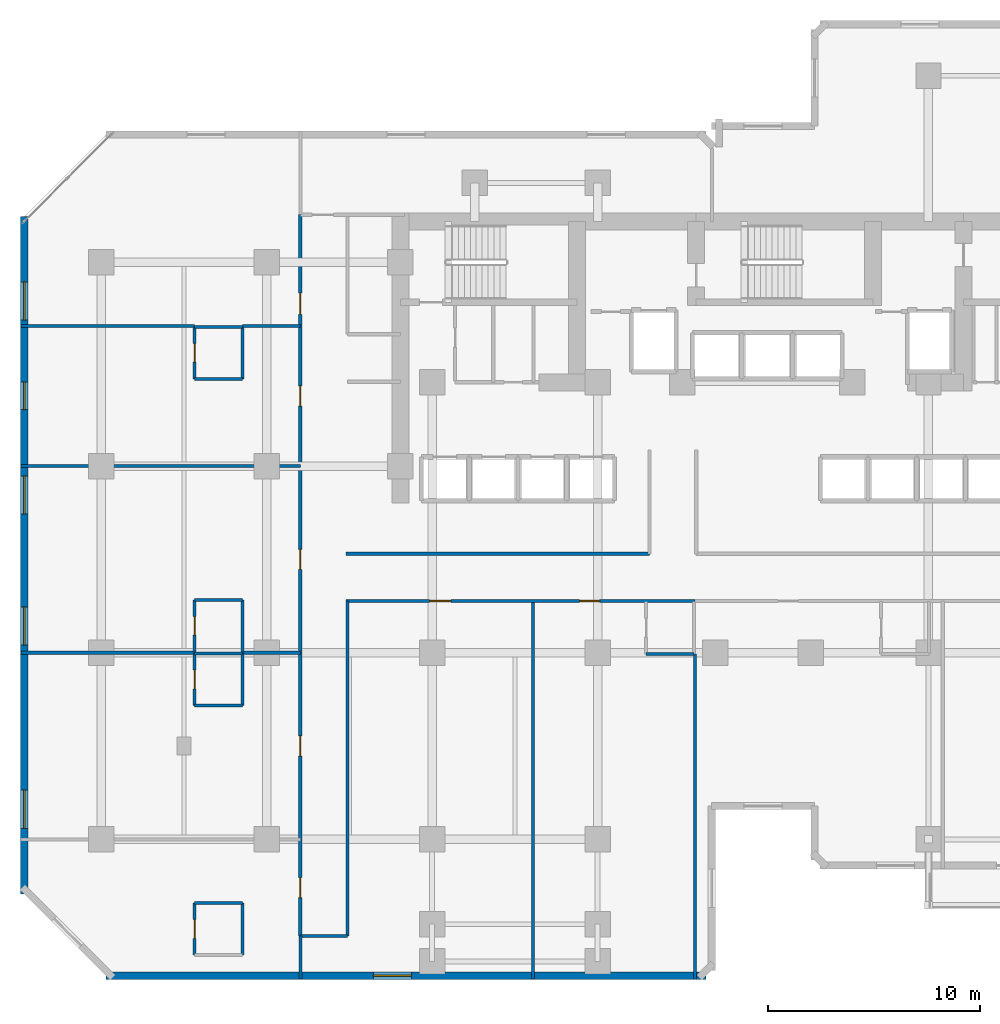
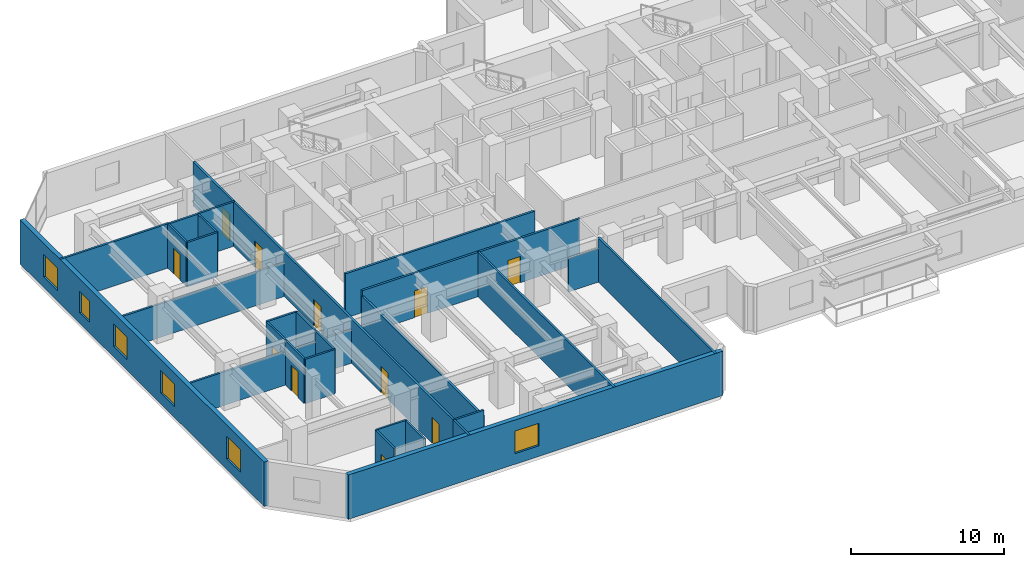
# One storey, part 5 of 11: 30 walls, 11 doors, 6 windows, 17 openings.
"""IFC4 building model written with IfcOpenShell, lengths in metres."""

from ifc_helpers import new_model, si_unit, direction, frame, frame_2d, origin, place, context, subcontext, project, spatial, rectangle, extrude, material, layer, layer_set, type_object, element, fill, save


model = new_model("IFC4")

# Units and contexts
model_context = context("Model", 3, precision=1e-05, world=origin(), true_north=direction((0.0, 1.0)))
body_context = subcontext(model_context, "Body", "Model", "MODEL_VIEW")
ifc_project = project(units=[si_unit("LENGTHUNIT", "METRE"), si_unit("AREAUNIT", "SQUARE_METRE"), si_unit("VOLUMEUNIT", "CUBIC_METRE"), si_unit("PLANEANGLEUNIT", "RADIAN"), si_unit("MASSUNIT", "GRAM", prefix="KILO")], contexts=[model_context])

# Site, building, storey
site_placement = place(None, origin())
site = spatial("IfcSite", under=ifc_project, at=site_placement, CompositionType="ELEMENT")
building_placement = place(site_placement, origin())
building = spatial("IfcBuilding", under=site, at=building_placement, Name="Kestravale Grand Hotel", CompositionType="ELEMENT")
storey_placement = place(building_placement, frame((0.0, 0.0, 107.0)))
storey = spatial("IfcBuildingStorey", under=building, at=storey_placement, Name="L26", CompositionType="ELEMENT", Elevation=107.0)

# Wall, opening, window
ifc_material_1 = material(Name="Precast concrete f'c 45 MPa", Category="concrete")
ifc_layer_1 = layer(ifc_material_1, 0.340087890625)
ifc_layer_set_1 = layer_set([ifc_layer_1], Name="EW-PREC-340")
wall_type_1 = type_object("IfcWallType", Name="EW-PREC-340", PredefinedType="SOLIDWALL", material=ifc_layer_set_1)
wall_1_placement = place(storey_placement, frame((8.030029296875, 4.77001953125, 0.0), z_axis=(0.0, 0.0, 1.0), x_axis=(1.0, 0.0, 0.0)))
wall_1 = element("IfcWall", 1, at=wall_1_placement, inside=storey, type_object=wall_type_1, Name="L26 fluted precast facade wall 1", PredefinedType="SOLIDWALL", context=body_context, shape_type="SweptSolid", body=[
    extrude(rectangle(XDim=28.2900390625, YDim=0.340087890625, at=frame_2d((14.14501953125, 0.0))), origin(), (0.0, 0.0, 1.0), 3.5400390625),
])
opening_1_placement = place(wall_1_placement, frame((12.594970703125, 0.0, 0.85009765625)))
opening_1 = element("IfcOpeningElement", 2, at=opening_1_placement, cuts=wall_1, Name="Opening W-GUEST-1800", PredefinedType="OPENING", context=body_context, shape_type="SweptSolid", body=[
    extrude(rectangle(XDim=1.800048828125, YDim=1.800048828125, at=frame_2d((0.89990234375, 0.89990234375))), frame((0.0, 0.179931640625, 0.0), z_axis=(0.0, -1.0, 0.0), x_axis=(1.0, 0.0, 0.0)), (0.0, 0.0, 1.0), 0.360107421875),
])
ifc_material_2 = material(Name="Insulated low-E double glazing in aluminium frame", Category="aluminium")
window_type_1 = type_object("IfcWindowType", Name="W-GUEST-1800", PartitioningType="DOUBLE_PANEL_VERTICAL", PredefinedType="WINDOW", material=ifc_material_2)
window_1_placement = place(opening_1_placement, origin())
window_1 = element("IfcWindow", 3, at=window_1_placement, inside=storey, type_object=window_type_1, Name="L26 exterior window 1.1", OverallHeight=1.800048828125, OverallWidth=1.800048828125, PartitioningType="SINGLE_PANEL", PredefinedType="WINDOW", context=body_context, shape_type="SweptSolid", body=[
    extrude(rectangle(XDim=1.800048828125, YDim=1.800048828125, at=frame_2d((0.89990234375, 0.89990234375))), frame((0.0, 0.030029296875, 0.0), z_axis=(0.0, -1.0, 0.0), x_axis=(1.0, 0.0, 0.0)), (0.0, 0.0, 1.0), 0.06005859375),
])
fill(opening_1, window_1)

# Wall, openings, windows
wall_2_placement = place(storey_placement, frame((4.169921875, 40.570068359375, 0.0), z_axis=(0.0, 0.0, 1.0), x_axis=(0.0, -1.0, 0.0)))
wall_2 = element("IfcWall", 4, at=wall_2_placement, inside=storey, type_object=wall_type_1, Name="L26 fluted precast facade wall 19", PredefinedType="SOLIDWALL", context=body_context, shape_type="SweptSolid", body=[
    extrude(rectangle(XDim=31.940185546875, YDim=0.340087890625, at=frame_2d((15.97021484375, 0.0))), origin(), (0.0, 0.0, 1.0), 3.5400390625),
])
opening_2_placement = place(wall_2_placement, frame((3.092529296875, 0.0, 0.85009765625)))
opening_2 = element("IfcOpeningElement", 5, at=opening_2_placement, cuts=wall_2, Name="Opening W-GUEST-1800", PredefinedType="OPENING", context=body_context, shape_type="SweptSolid", body=[
    extrude(rectangle(XDim=1.800048828125, YDim=1.800048828125, at=frame_2d((0.89990234375, 0.89990234375))), frame((0.0, 0.179931640625, 0.0), z_axis=(0.0, -1.0, 0.0), x_axis=(1.0, 0.0, 0.0)), (0.0, 0.0, 1.0), 0.360107421875),
])
opening_3_placement = place(wall_2_placement, frame((12.2275390625, 0.0, 0.85009765625)))
opening_3 = element("IfcOpeningElement", 6, at=opening_3_placement, cuts=wall_2, Name="Opening W-GUEST-1800", PredefinedType="OPENING", context=body_context, shape_type="SweptSolid", body=[
    extrude(rectangle(XDim=1.800048828125, YDim=1.800048828125, at=frame_2d((0.89990234375, 0.89990234375))), frame((0.0, 0.179931640625, 0.0), z_axis=(0.0, -1.0, 0.0), x_axis=(1.0, 0.0, 0.0)), (0.0, 0.0, 1.0), 0.360107421875),
])
opening_4_placement = place(wall_2_placement, frame((18.41259765625, 0.0, 0.85009765625)))
opening_4 = element("IfcOpeningElement", 7, at=opening_4_placement, cuts=wall_2, Name="Opening W-GUEST-1800", PredefinedType="OPENING", context=body_context, shape_type="SweptSolid", body=[
    extrude(rectangle(XDim=1.800048828125, YDim=1.800048828125, at=frame_2d((0.89990234375, 0.89990234375))), frame((0.0, 0.179931640625, 0.0), z_axis=(0.0, -1.0, 0.0), x_axis=(1.0, 0.0, 0.0)), (0.0, 0.0, 1.0), 0.360107421875),
])
opening_5_placement = place(wall_2_placement, frame((27.047607421875, 0.0, 0.85009765625)))
opening_5 = element("IfcOpeningElement", 8, at=opening_5_placement, cuts=wall_2, Name="Opening W-GUEST-1800", PredefinedType="OPENING", context=body_context, shape_type="SweptSolid", body=[
    extrude(rectangle(XDim=1.800048828125, YDim=1.800048828125, at=frame_2d((0.89990234375, 0.89990234375))), frame((0.0, 0.179931640625, 0.0), z_axis=(0.0, -1.0, 0.0), x_axis=(1.0, 0.0, 0.0)), (0.0, 0.0, 1.0), 0.360107421875),
])
opening_6_placement = place(wall_2_placement, frame((7.81005859375, 0.0, 0.85009765625)))
opening_6 = element("IfcOpeningElement", 9, at=opening_6_placement, cuts=wall_2, Name="Opening W-GUEST-1300", PredefinedType="OPENING", context=body_context, shape_type="SweptSolid", body=[
    extrude(rectangle(XDim=1.300048828125, YDim=1.699951171875, at=frame_2d((0.64990234375, 0.85009765625))), frame((0.0, 0.179931640625, 0.0), z_axis=(0.0, -1.0, 0.0), x_axis=(1.0, 0.0, 0.0)), (0.0, 0.0, 1.0), 0.360107421875),
])
ifc_material_3 = material(Name="Insulated low-E double glazing in aluminium frame", Category="aluminium")
window_type_2 = type_object("IfcWindowType", Name="W-GUEST-1300", PartitioningType="SINGLE_PANEL", PredefinedType="WINDOW", material=ifc_material_3)
window_2_placement = place(opening_6_placement, origin())
window_2 = element("IfcWindow", 10, at=window_2_placement, inside=storey, type_object=window_type_2, Name="L26 guestroom envelope window 1", OverallHeight=1.699951171875, OverallWidth=1.300048828125, PartitioningType="SINGLE_PANEL", PredefinedType="WINDOW", context=body_context, shape_type="SweptSolid", body=[
    extrude(rectangle(XDim=1.300048828125, YDim=1.699951171875, at=frame_2d((0.64990234375, 0.85009765625))), frame((0.0, 0.030029296875, 0.0), z_axis=(0.0, -1.0, 0.0), x_axis=(1.0, 0.0, 0.0)), (0.0, 0.0, 1.0), 0.06005859375),
])
fill(opening_6, window_2)
window_3_placement = place(opening_2_placement, origin())
window_3 = element("IfcWindow", 11, at=window_3_placement, inside=storey, type_object=window_type_1, Name="L26 exterior window 19.1", OverallHeight=1.800048828125, OverallWidth=1.800048828125, PartitioningType="SINGLE_PANEL", PredefinedType="WINDOW", context=body_context, shape_type="SweptSolid", body=[
    extrude(rectangle(XDim=1.800048828125, YDim=1.800048828125, at=frame_2d((0.89990234375, 0.89990234375))), frame((0.0, 0.030029296875, 0.0), z_axis=(0.0, -1.0, 0.0), x_axis=(1.0, 0.0, 0.0)), (0.0, 0.0, 1.0), 0.06005859375),
])
fill(opening_2, window_3)
window_4_placement = place(opening_3_placement, origin())
window_4 = element("IfcWindow", 12, at=window_4_placement, inside=storey, type_object=window_type_1, Name="L26 exterior window 19.2", OverallHeight=1.800048828125, OverallWidth=1.800048828125, PartitioningType="SINGLE_PANEL", PredefinedType="WINDOW", context=body_context, shape_type="SweptSolid", body=[
    extrude(rectangle(XDim=1.800048828125, YDim=1.800048828125, at=frame_2d((0.89990234375, 0.89990234375))), frame((0.0, 0.030029296875, 0.0), z_axis=(0.0, -1.0, 0.0), x_axis=(1.0, 0.0, 0.0)), (0.0, 0.0, 1.0), 0.06005859375),
])
fill(opening_3, window_4)
window_5_placement = place(opening_4_placement, origin())
window_5 = element("IfcWindow", 13, at=window_5_placement, inside=storey, type_object=window_type_1, Name="L26 exterior window 19.3", OverallHeight=1.800048828125, OverallWidth=1.800048828125, PartitioningType="SINGLE_PANEL", PredefinedType="WINDOW", context=body_context, shape_type="SweptSolid", body=[
    extrude(rectangle(XDim=1.800048828125, YDim=1.800048828125, at=frame_2d((0.89990234375, 0.89990234375))), frame((0.0, 0.030029296875, 0.0), z_axis=(0.0, -1.0, 0.0), x_axis=(1.0, 0.0, 0.0)), (0.0, 0.0, 1.0), 0.06005859375),
])
fill(opening_4, window_5)
window_6_placement = place(opening_5_placement, origin())
window_6 = element("IfcWindow", 14, at=window_6_placement, inside=storey, type_object=window_type_1, Name="L26 exterior window 19.4", OverallHeight=1.800048828125, OverallWidth=1.800048828125, PartitioningType="SINGLE_PANEL", PredefinedType="WINDOW", context=body_context, shape_type="SweptSolid", body=[
    extrude(rectangle(XDim=1.800048828125, YDim=1.800048828125, at=frame_2d((0.89990234375, 0.89990234375))), frame((0.0, 0.030029296875, 0.0), z_axis=(0.0, -1.0, 0.0), x_axis=(1.0, 0.0, 0.0)), (0.0, 0.0, 1.0), 0.06005859375),
])
fill(opening_5, window_6)

# Wall
ifc_material_4 = material(Name="Acoustic fire-rated gypsum board partition", Category="other")
ifc_layer_2 = layer(ifc_material_4, 0.159912109375)
ifc_layer_set_2 = layer_set([ifc_layer_2], Name="IW-CORR-160")
wall_type_2 = type_object("IfcWallType", Name="IW-CORR-160", PredefinedType="PARTITIONING", material=ifc_layer_set_2)
wall_3_placement = place(storey_placement, frame((19.35009765625, 24.659912109375, 0.0), z_axis=(0.0, 0.0, 1.0), x_axis=(1.0, 0.0, 0.0)))
element("IfcWall", 15, at=wall_3_placement, inside=storey, type_object=wall_type_2, Name="W-L26-CW-N", PredefinedType="PARTITIONING", context=body_context, shape_type="SweptSolid", body=[
    extrude(rectangle(XDim=14.2998046875, YDim=0.159912109375, at=frame_2d((7.14990234375, 0.0))), origin(), (0.0, 0.0, 1.0), 3.5400390625),
])

# Wall, openings, doors
wall_4_placement = place(storey_placement, frame((19.35009765625, 22.43994140625, 0.0), z_axis=(0.0, 0.0, 1.0), x_axis=(1.0, 0.0, 0.0)))
wall_4 = element("IfcWall", 16, at=wall_4_placement, inside=storey, type_object=wall_type_2, Name="W-L26-CW-S", PredefinedType="PARTITIONING", context=body_context, shape_type="SweptSolid", body=[
    extrude(rectangle(XDim=16.449951171875, YDim=0.159912109375, at=frame_2d((8.22509765625, 0.0))), origin(), (0.0, 0.0, 1.0), 3.5400390625),
])
opening_7_placement = place(wall_4_placement, frame((3.9326171875, 0.0, 0.0)))
opening_7 = element("IfcOpeningElement", 17, at=opening_7_placement, cuts=wall_4, Name="Opening D-GUEST-1000", PredefinedType="OPENING", context=body_context, shape_type="SweptSolid", body=[
    extrude(rectangle(XDim=1.0, YDim=2.14990234375, at=frame_2d((0.5, 1.074951171875))), frame((0.0, 0.08984375, 0.0), z_axis=(0.0, -1.0, 0.0), x_axis=(1.0, 0.0, 0.0)), (0.0, 0.0, 1.0), 0.179931640625),
])
opening_8_placement = place(wall_4_placement, frame((10.99755859375, 0.0, 0.0)))
opening_8 = element("IfcOpeningElement", 18, at=opening_8_placement, cuts=wall_4, Name="Opening D-GUEST-950", PredefinedType="OPENING", context=body_context, shape_type="SweptSolid", body=[
    extrude(rectangle(XDim=0.949951171875, YDim=2.10009765625, at=frame_2d((0.47509765625, 1.050048828125))), frame((0.0, 0.08984375, 0.0), z_axis=(0.0, -1.0, 0.0), x_axis=(1.0, 0.0, 0.0)), (0.0, 0.0, 1.0), 0.179931640625),
])
ifc_material_5 = material(Name="Accessible walnut veneer hotel entrance fire door", Category="wood")
door_type_1 = type_object("IfcDoorType", Name="D-GUEST-1000", OperationType="NOTDEFINED", PredefinedType="DOOR", material=ifc_material_5)
door_1_placement = place(opening_7_placement, origin())
door_1 = element("IfcDoor", 19, at=door_1_placement, inside=storey, type_object=door_type_1, Name="D-L26-AMW", OperationType="SINGLE_SWING_LEFT", OverallHeight=2.14990234375, OverallWidth=1.0, PredefinedType="DOOR", context=body_context, shape_type="SweptSolid", body=[
    extrude(rectangle(XDim=1.0, YDim=2.14990234375, at=frame_2d((0.5, 1.074951171875))), frame((0.0, 0.02490234375, 0.0), z_axis=(0.0, -1.0, 0.0), x_axis=(1.0, 0.0, 0.0)), (0.0, 0.0, 1.0), 0.050048828125),
])
fill(opening_7, door_1)
ifc_material_6 = material(Name="Walnut veneer hotel guestroom entrance fire door", Category="wood")
door_type_2 = type_object("IfcDoorType", Name="D-GUEST-950", OperationType="NOTDEFINED", PredefinedType="DOOR", material=ifc_material_6)
door_2_placement = place(opening_8_placement, origin())
door_2 = element("IfcDoor", 20, at=door_2_placement, inside=storey, type_object=door_type_2, Name="D-L26-U01-ENT", OperationType="SINGLE_SWING_LEFT", OverallHeight=2.10009765625, OverallWidth=0.949951171875, PredefinedType="DOOR", context=body_context, shape_type="SweptSolid", body=[
    extrude(rectangle(XDim=0.949951171875, YDim=2.10009765625, at=frame_2d((0.47509765625, 1.050048828125))), frame((0.0, 0.02490234375, 0.0), z_axis=(0.0, -1.0, 0.0), x_axis=(1.0, 0.0, 0.0)), (0.0, 0.0, 1.0), 0.050048828125),
])
fill(opening_8, door_2)

wall_5_placement = place(storey_placement, frame((17.18994140625, 6.64990234375, 0.0), z_axis=(0.0, 0.0, 1.0), x_axis=(0.0, 1.0, 0.0)))
wall_5 = element("IfcWall", 21, at=wall_5_placement, inside=storey, type_object=wall_type_2, Name="W-L26-SW-W", PredefinedType="PARTITIONING", context=body_context, shape_type="SweptSolid", body=[
    extrude(rectangle(XDim=34.0, YDim=0.159912109375, at=frame_2d((17.0, 0.0))), origin(), (0.0, 0.0, 1.0), 3.5400390625),
])
opening_9_placement = place(wall_5_placement, frame((1.800048828125, 0.0, 0.0)))
opening_9 = element("IfcOpeningElement", 22, at=opening_9_placement, cuts=wall_5, Name="Opening D-GUEST-950", PredefinedType="OPENING", context=body_context, shape_type="SweptSolid", body=[
    extrude(rectangle(XDim=0.949951171875, YDim=2.10009765625, at=frame_2d((0.47509765625, 1.050048828125))), frame((0.0, 0.08984375, 0.0), z_axis=(0.0, -1.0, 0.0), x_axis=(1.0, 0.0, 0.0)), (0.0, 0.0, 1.0), 0.179931640625),
])
opening_10_placement = place(wall_5_placement, frame((8.47509765625, 0.0, 0.0)))
opening_10 = element("IfcOpeningElement", 23, at=opening_10_placement, cuts=wall_5, Name="Opening D-GUEST-950", PredefinedType="OPENING", context=body_context, shape_type="SweptSolid", body=[
    extrude(rectangle(XDim=0.949951171875, YDim=2.10009765625, at=frame_2d((0.47509765625, 1.050048828125))), frame((0.0, 0.08984375, 0.0), z_axis=(0.0, -1.0, 0.0), x_axis=(1.0, 0.0, 0.0)), (0.0, 0.0, 1.0), 0.179931640625),
])
opening_11_placement = place(wall_5_placement, frame((17.27490234375, 0.0, 0.0)))
opening_11 = element("IfcOpeningElement", 24, at=opening_11_placement, cuts=wall_5, Name="Opening D-GUEST-950", PredefinedType="OPENING", context=body_context, shape_type="SweptSolid", body=[
    extrude(rectangle(XDim=0.949951171875, YDim=2.10009765625, at=frame_2d((0.47509765625, 1.050048828125))), frame((0.0, 0.08984375, 0.0), z_axis=(0.0, -1.0, 0.0), x_axis=(1.0, 0.0, 0.0)), (0.0, 0.0, 1.0), 0.179931640625),
])
opening_12_placement = place(wall_5_placement, frame((24.97509765625, 0.0, 0.0)))
opening_12 = element("IfcOpeningElement", 25, at=opening_12_placement, cuts=wall_5, Name="Opening D-GUEST-950", PredefinedType="OPENING", context=body_context, shape_type="SweptSolid", body=[
    extrude(rectangle(XDim=0.949951171875, YDim=2.10009765625, at=frame_2d((0.47509765625, 1.050048828125))), frame((0.0, 0.08984375, 0.0), z_axis=(0.0, -1.0, 0.0), x_axis=(1.0, 0.0, 0.0)), (0.0, 0.0, 1.0), 0.179931640625),
])
opening_13_placement = place(wall_5_placement, frame((29.300048828125, 0.0, 0.0)))
opening_13 = element("IfcOpeningElement", 26, at=opening_13_placement, cuts=wall_5, Name="Opening D-GUEST-1000", PredefinedType="OPENING", context=body_context, shape_type="SweptSolid", body=[
    extrude(rectangle(XDim=1.0, YDim=2.14990234375, at=frame_2d((0.5, 1.074951171875))), frame((0.0, 0.08984375, 0.0), z_axis=(0.0, -1.0, 0.0), x_axis=(1.0, 0.0, 0.0)), (0.0, 0.0, 1.0), 0.179931640625),
])
door_3_placement = place(opening_13_placement, origin())
door_3 = element("IfcDoor", 27, at=door_3_placement, inside=storey, type_object=door_type_1, Name="D-L26-AMWW", OperationType="SINGLE_SWING_LEFT", OverallHeight=2.14990234375, OverallWidth=1.0, PredefinedType="DOOR", context=body_context, shape_type="SweptSolid", body=[
    extrude(rectangle(XDim=1.0, YDim=2.14990234375, at=frame_2d((0.5, 1.074951171875))), frame((0.0, 0.02490234375, 0.0), z_axis=(0.0, -1.0, 0.0), x_axis=(1.0, 0.0, 0.0)), (0.0, 0.0, 1.0), 0.050048828125),
])
fill(opening_13, door_3)
door_4_placement = place(opening_9_placement, origin())
door_4 = element("IfcDoor", 28, at=door_4_placement, inside=storey, type_object=door_type_2, Name="D-L26-U03-ENT", OperationType="SINGLE_SWING_RIGHT", OverallHeight=2.10009765625, OverallWidth=0.949951171875, PredefinedType="DOOR", context=body_context, shape_type="SweptSolid", body=[
    extrude(rectangle(XDim=0.949951171875, YDim=2.10009765625, at=frame_2d((0.47509765625, 1.050048828125))), frame((0.0, 0.02490234375, 0.0), z_axis=(0.0, -1.0, 0.0), x_axis=(1.0, 0.0, 0.0)), (0.0, 0.0, 1.0), 0.050048828125),
])
fill(opening_9, door_4)
door_5_placement = place(opening_10_placement, origin())
door_5 = element("IfcDoor", 29, at=door_5_placement, inside=storey, type_object=door_type_2, Name="D-L26-U04-ENT", OperationType="SINGLE_SWING_RIGHT", OverallHeight=2.10009765625, OverallWidth=0.949951171875, PredefinedType="DOOR", context=body_context, shape_type="SweptSolid", body=[
    extrude(rectangle(XDim=0.949951171875, YDim=2.10009765625, at=frame_2d((0.47509765625, 1.050048828125))), frame((0.0, 0.02490234375, 0.0), z_axis=(0.0, -1.0, 0.0), x_axis=(1.0, 0.0, 0.0)), (0.0, 0.0, 1.0), 0.050048828125),
])
fill(opening_10, door_5)
door_6_placement = place(opening_11_placement, origin())
door_6 = element("IfcDoor", 30, at=door_6_placement, inside=storey, type_object=door_type_2, Name="D-L26-U05-ENT", OperationType="SINGLE_SWING_RIGHT", OverallHeight=2.10009765625, OverallWidth=0.949951171875, PredefinedType="DOOR", context=body_context, shape_type="SweptSolid", body=[
    extrude(rectangle(XDim=0.949951171875, YDim=2.10009765625, at=frame_2d((0.47509765625, 1.050048828125))), frame((0.0, 0.02490234375, 0.0), z_axis=(0.0, -1.0, 0.0), x_axis=(1.0, 0.0, 0.0)), (0.0, 0.0, 1.0), 0.050048828125),
])
fill(opening_11, door_6)
door_7_placement = place(opening_12_placement, origin())
door_7 = element("IfcDoor", 31, at=door_7_placement, inside=storey, type_object=door_type_2, Name="D-L26-U06-ENT", OperationType="SINGLE_SWING_RIGHT", OverallHeight=2.10009765625, OverallWidth=0.949951171875, PredefinedType="DOOR", context=body_context, shape_type="SweptSolid", body=[
    extrude(rectangle(XDim=0.949951171875, YDim=2.10009765625, at=frame_2d((0.47509765625, 1.050048828125))), frame((0.0, 0.02490234375, 0.0), z_axis=(0.0, -1.0, 0.0), x_axis=(1.0, 0.0, 0.0)), (0.0, 0.0, 1.0), 0.050048828125),
])
fill(opening_12, door_7)

# Walls
wall_6_placement = place(storey_placement, frame((19.409912109375, 6.64990234375, 0.0), z_axis=(0.0, 0.0, 1.0), x_axis=(0.0, 1.0, 0.0)))
element("IfcWall", 32, at=wall_6_placement, inside=storey, type_object=wall_type_2, Name="W-L26-SW-E", PredefinedType="PARTITIONING", context=body_context, shape_type="SweptSolid", body=[
    extrude(rectangle(XDim=15.7900390625, YDim=0.159912109375, at=frame_2d((7.89501953125, 0.0))), origin(), (0.0, 0.0, 1.0), 3.0830078125),
])
ifc_material_7 = material(Name="Moisture-resistant tile-backer plumbing chase wall", Category="other")
ifc_layer_3 = layer(ifc_material_7, 0.139892578125)
ifc_layer_set_3 = layer_set([ifc_layer_3], Name="IW-PLB-140")
wall_type_3 = type_object("IfcWallType", Name="IW-PLB-140", PredefinedType="PLUMBINGWALL", material=ifc_layer_set_3)
wall_7_placement = place(storey_placement, frame((33.489990234375, 19.929931640625, 0.0), z_axis=(0.0, 0.0, 1.0), x_axis=(1.0, 0.0, 0.0)))
element("IfcWall", 33, at=wall_7_placement, inside=storey, type_object=wall_type_3, Name="W-L26-U01-BS", PredefinedType="PLUMBINGWALL", context=body_context, shape_type="SweptSolid", body=[
    extrude(rectangle(XDim=2.25, YDim=0.139892578125, at=frame_2d((1.125, 0.0))), origin(), (0.0, 0.0, 1.0), 2.678955078125),
])

# Wall, opening, door
wall_8_placement = place(storey_placement, frame((12.199951171875, 5.75, 0.0), z_axis=(0.0, 0.0, 1.0), x_axis=(0.0, 1.0, 0.0)))
wall_8 = element("IfcWall", 34, at=wall_8_placement, inside=storey, type_object=wall_type_3, Name="W-L26-U03-BW", PredefinedType="PLUMBINGWALL", context=body_context, shape_type="SweptSolid", body=[
    extrude(rectangle(XDim=2.449951171875, YDim=0.139892578125, at=frame_2d((1.22509765625, 0.0))), origin(), (0.0, 0.0, 1.0), 3.5400390625),
])
opening_14_placement = place(wall_8_placement, frame((0.784912109375, 0.0, 0.0)))
opening_14 = element("IfcOpeningElement", 35, at=opening_14_placement, cuts=wall_8, Name="Opening D-BATH-880", PredefinedType="OPENING", context=body_context, shape_type="SweptSolid", body=[
    extrude(rectangle(XDim=0.8798828125, YDim=2.050048828125, at=frame_2d((0.43994140625, 1.02490234375))), frame((0.0, 0.079833984375, 0.0), z_axis=(0.0, -1.0, 0.0), x_axis=(1.0, 0.0, 0.0)), (0.0, 0.0, 1.0), 0.159912109375),
])
ifc_material_8 = material(Name="Moisture-sealed walnut en-suite bathroom door", Category="wood")
door_type_3 = type_object("IfcDoorType", Name="D-BATH-880", OperationType="NOTDEFINED", PredefinedType="DOOR", material=ifc_material_8)
door_8_placement = place(opening_14_placement, origin())
door_8 = element("IfcDoor", 36, at=door_8_placement, inside=storey, type_object=door_type_3, Name="D-L26-U03-BATH", OperationType="SINGLE_SWING_LEFT", OverallHeight=2.050048828125, OverallWidth=0.8798828125, PredefinedType="DOOR", context=body_context, shape_type="SweptSolid", body=[
    extrude(rectangle(XDim=0.8798828125, YDim=2.050048828125, at=frame_2d((0.43994140625, 1.02490234375))), frame((0.0, 0.02490234375, 0.0), z_axis=(0.0, -1.0, 0.0), x_axis=(1.0, 0.0, 0.0)), (0.0, 0.0, 1.0), 0.050048828125),
])
fill(opening_14, door_8)

# Walls
wall_9_placement = place(storey_placement, frame((14.449951171875, 5.75, 0.0), z_axis=(0.0, 0.0, 1.0), x_axis=(0.0, 1.0, 0.0)))
element("IfcWall", 37, at=wall_9_placement, inside=storey, type_object=wall_type_3, Name="W-L26-U03-BE", PredefinedType="PLUMBINGWALL", context=body_context, shape_type="SweptSolid", body=[
    extrude(rectangle(XDim=2.449951171875, YDim=0.139892578125, at=frame_2d((1.22509765625, 0.0))), origin(), (0.0, 0.0, 1.0), 3.5400390625),
])
wall_10_placement = place(storey_placement, frame((12.199951171875, 8.199951171875, 0.0), z_axis=(0.0, 0.0, 1.0), x_axis=(1.0, 0.0, 0.0)))
element("IfcWall", 38, at=wall_10_placement, inside=storey, type_object=wall_type_3, Name="W-L26-U03-BN", PredefinedType="PLUMBINGWALL", context=body_context, shape_type="SweptSolid", body=[
    extrude(rectangle(XDim=2.25, YDim=0.139892578125, at=frame_2d((1.125, 0.0))), origin(), (0.0, 0.0, 1.0), 3.5400390625),
])

# Wall, opening, door
wall_11_placement = place(storey_placement, frame((12.199951171875, 17.510009765625, 0.0), z_axis=(0.0, 0.0, 1.0), x_axis=(0.0, 1.0, 0.0)))
wall_11 = element("IfcWall", 39, at=wall_11_placement, inside=storey, type_object=wall_type_3, Name="W-L26-U04-BW", PredefinedType="PLUMBINGWALL", context=body_context, shape_type="SweptSolid", body=[
    extrude(rectangle(XDim=2.449951171875, YDim=0.139892578125, at=frame_2d((1.22509765625, 0.0))), origin(), (0.0, 0.0, 1.0), 3.5400390625),
])
opening_15_placement = place(wall_11_placement, frame((0.784912109375, 0.0, 0.0)))
opening_15 = element("IfcOpeningElement", 40, at=opening_15_placement, cuts=wall_11, Name="Opening D-BATH-880", PredefinedType="OPENING", context=body_context, shape_type="SweptSolid", body=[
    extrude(rectangle(XDim=0.8798828125, YDim=2.050048828125, at=frame_2d((0.43994140625, 1.02490234375))), frame((0.0, 0.079833984375, 0.0), z_axis=(0.0, -1.0, 0.0), x_axis=(1.0, 0.0, 0.0)), (0.0, 0.0, 1.0), 0.159912109375),
])
door_9_placement = place(opening_15_placement, origin())
door_9 = element("IfcDoor", 41, at=door_9_placement, inside=storey, type_object=door_type_3, Name="D-L26-U04-BATH", OperationType="SINGLE_SWING_LEFT", OverallHeight=2.050048828125, OverallWidth=0.8798828125, PredefinedType="DOOR", context=body_context, shape_type="SweptSolid", body=[
    extrude(rectangle(XDim=0.8798828125, YDim=2.050048828125, at=frame_2d((0.43994140625, 1.02490234375))), frame((0.0, 0.02490234375, 0.0), z_axis=(0.0, -1.0, 0.0), x_axis=(1.0, 0.0, 0.0)), (0.0, 0.0, 1.0), 0.050048828125),
])
fill(opening_15, door_9)

# Walls
wall_12_placement = place(storey_placement, frame((14.449951171875, 17.510009765625, 0.0), z_axis=(0.0, 0.0, 1.0), x_axis=(0.0, 1.0, 0.0)))
element("IfcWall", 42, at=wall_12_placement, inside=storey, type_object=wall_type_3, Name="W-L26-U04-BE", PredefinedType="PLUMBINGWALL", context=body_context, shape_type="SweptSolid", body=[
    extrude(rectangle(XDim=2.449951171875, YDim=0.139892578125, at=frame_2d((1.22509765625, 0.0))), origin(), (0.0, 0.0, 1.0), 3.5400390625),
])
wall_13_placement = place(storey_placement, frame((12.199951171875, 17.510009765625, 0.0), z_axis=(0.0, 0.0, 1.0), x_axis=(1.0, 0.0, 0.0)))
element("IfcWall", 43, at=wall_13_placement, inside=storey, type_object=wall_type_3, Name="W-L26-U04-BS", PredefinedType="PLUMBINGWALL", context=body_context, shape_type="SweptSolid", body=[
    extrude(rectangle(XDim=2.25, YDim=0.139892578125, at=frame_2d((1.125, 0.0))), origin(), (0.0, 0.0, 1.0), 3.5400390625),
])
wall_14_placement = place(storey_placement, frame((12.199951171875, 19.9599609375, 0.0), z_axis=(0.0, 0.0, 1.0), x_axis=(1.0, 0.0, 0.0)))
element("IfcWall", 44, at=wall_14_placement, inside=storey, type_object=wall_type_3, Name="W-L26-U04-BN", PredefinedType="PLUMBINGWALL", context=body_context, shape_type="SweptSolid", body=[
    extrude(rectangle(XDim=2.25, YDim=0.139892578125, at=frame_2d((1.125, 0.0))), origin(), (0.0, 0.0, 1.0), 2.678955078125),
])

# Wall, opening, door
wall_15_placement = place(storey_placement, frame((12.199951171875, 20.0400390625, 0.0), z_axis=(0.0, 0.0, 1.0), x_axis=(0.0, 1.0, 0.0)))
wall_15 = element("IfcWall", 45, at=wall_15_placement, inside=storey, type_object=wall_type_3, Name="W-L26-U05-BW", PredefinedType="PLUMBINGWALL", context=body_context, shape_type="SweptSolid", body=[
    extrude(rectangle(XDim=2.449951171875, YDim=0.139892578125, at=frame_2d((1.22509765625, 0.0))), origin(), (0.0, 0.0, 1.0), 3.5400390625),
])
opening_16_placement = place(wall_15_placement, frame((0.784912109375, 0.0, 0.0)))
opening_16 = element("IfcOpeningElement", 46, at=opening_16_placement, cuts=wall_15, Name="Opening D-BATH-880", PredefinedType="OPENING", context=body_context, shape_type="SweptSolid", body=[
    extrude(rectangle(XDim=0.8798828125, YDim=2.050048828125, at=frame_2d((0.43994140625, 1.02490234375))), frame((0.0, 0.079833984375, 0.0), z_axis=(0.0, -1.0, 0.0), x_axis=(1.0, 0.0, 0.0)), (0.0, 0.0, 1.0), 0.159912109375),
])
door_10_placement = place(opening_16_placement, origin())
door_10 = element("IfcDoor", 47, at=door_10_placement, inside=storey, type_object=door_type_3, Name="D-L26-U05-BATH", OperationType="SINGLE_SWING_LEFT", OverallHeight=2.050048828125, OverallWidth=0.8798828125, PredefinedType="DOOR", context=body_context, shape_type="SweptSolid", body=[
    extrude(rectangle(XDim=0.8798828125, YDim=2.050048828125, at=frame_2d((0.43994140625, 1.02490234375))), frame((0.0, 0.02490234375, 0.0), z_axis=(0.0, -1.0, 0.0), x_axis=(1.0, 0.0, 0.0)), (0.0, 0.0, 1.0), 0.050048828125),
])
fill(opening_16, door_10)

# Walls
wall_16_placement = place(storey_placement, frame((14.449951171875, 20.0400390625, 0.0), z_axis=(0.0, 0.0, 1.0), x_axis=(0.0, 1.0, 0.0)))
element("IfcWall", 48, at=wall_16_placement, inside=storey, type_object=wall_type_3, Name="W-L26-U05-BE", PredefinedType="PLUMBINGWALL", context=body_context, shape_type="SweptSolid", body=[
    extrude(rectangle(XDim=2.449951171875, YDim=0.139892578125, at=frame_2d((1.22509765625, 0.0))), origin(), (0.0, 0.0, 1.0), 3.5400390625),
])
wall_17_placement = place(storey_placement, frame((12.199951171875, 22.489990234375, 0.0), z_axis=(0.0, 0.0, 1.0), x_axis=(1.0, 0.0, 0.0)))
element("IfcWall", 49, at=wall_17_placement, inside=storey, type_object=wall_type_3, Name="W-L26-U05-BN", PredefinedType="PLUMBINGWALL", context=body_context, shape_type="SweptSolid", body=[
    extrude(rectangle(XDim=2.25, YDim=0.139892578125, at=frame_2d((1.125, 0.0))), origin(), (0.0, 0.0, 1.0), 3.5400390625),
])

# Wall, opening, door
wall_18_placement = place(storey_placement, frame((12.199951171875, 32.909912109375, 0.0), z_axis=(0.0, 0.0, 1.0), x_axis=(0.0, 1.0, 0.0)))
wall_18 = element("IfcWall", 50, at=wall_18_placement, inside=storey, type_object=wall_type_3, Name="W-L26-U06-BW", PredefinedType="PLUMBINGWALL", context=body_context, shape_type="SweptSolid", body=[
    extrude(rectangle(XDim=2.4501953125, YDim=0.139892578125, at=frame_2d((1.22509765625, 0.0))), origin(), (0.0, 0.0, 1.0), 3.5400390625),
])
opening_17_placement = place(wall_18_placement, frame((0.784912109375, 0.0, 0.0)))
opening_17 = element("IfcOpeningElement", 51, at=opening_17_placement, cuts=wall_18, Name="Opening D-BATH-880", PredefinedType="OPENING", context=body_context, shape_type="SweptSolid", body=[
    extrude(rectangle(XDim=0.8798828125, YDim=2.050048828125, at=frame_2d((0.43994140625, 1.02490234375))), frame((0.0, 0.079833984375, 0.0), z_axis=(0.0, -1.0, 0.0), x_axis=(1.0, 0.0, 0.0)), (0.0, 0.0, 1.0), 0.159912109375),
])
door_11_placement = place(opening_17_placement, origin())
door_11 = element("IfcDoor", 52, at=door_11_placement, inside=storey, type_object=door_type_3, Name="D-L26-U06-BATH", OperationType="SINGLE_SWING_LEFT", OverallHeight=2.050048828125, OverallWidth=0.8798828125, PredefinedType="DOOR", context=body_context, shape_type="SweptSolid", body=[
    extrude(rectangle(XDim=0.8798828125, YDim=2.050048828125, at=frame_2d((0.43994140625, 1.02490234375))), frame((0.0, 0.02490234375, 0.0), z_axis=(0.0, -1.0, 0.0), x_axis=(1.0, 0.0, 0.0)), (0.0, 0.0, 1.0), 0.050048828125),
])
fill(opening_17, door_11)

# Walls
wall_19_placement = place(storey_placement, frame((14.449951171875, 32.909912109375, 0.0), z_axis=(0.0, 0.0, 1.0), x_axis=(0.0, 1.0, 0.0)))
element("IfcWall", 53, at=wall_19_placement, inside=storey, type_object=wall_type_3, Name="W-L26-U06-BE", PredefinedType="PLUMBINGWALL", context=body_context, shape_type="SweptSolid", body=[
    extrude(rectangle(XDim=2.4501953125, YDim=0.139892578125, at=frame_2d((1.22509765625, 0.0))), origin(), (0.0, 0.0, 1.0), 3.5400390625),
])
for number, where, z_axis, x_axis, name in (
    (54, (12.199951171875, 32.909912109375, 0.0), (0.0, 0.0, 1.0), (1.0, 0.0, 0.0), "W-L26-U06-BS"),
    (55, (12.199951171875, 35.360107421875, 0.0), (0.0, 0.0, 1.0), (1.0, 0.0, 0.0), "W-L26-U06-BN"),
):
    element("IfcWall", number, at=place(storey_placement, frame(where, z_axis=z_axis, x_axis=x_axis)), inside=storey, type_object=wall_type_3, Name=name, PredefinedType="PLUMBINGWALL", context=body_context, shape_type="SweptSolid", body=[
        extrude(rectangle(XDim=2.25, YDim=0.139892578125, at=frame_2d((1.125, 0.0))), origin(), (0.0, 0.0, 1.0), 3.5400390625),
    ])
ifc_material_9 = material(Name="Double-stud STC 52 acoustic demising partition", Category="other")
ifc_layer_4 = layer(ifc_material_9, 0.14990234375)
ifc_layer_set_4 = layer_set([ifc_layer_4], Name="IW-UNIT-150")
wall_type_4 = type_object("IfcWallType", Name="IW-UNIT-150", PredefinedType="PARTITIONING", material=ifc_layer_set_4)
wall_20_placement = place(storey_placement, frame((17.18994140625, 6.64990234375, 0.0), z_axis=(0.0, 0.0, 1.0), x_axis=(1.0, 0.0, 0.0)))
element("IfcWall", 56, at=wall_20_placement, inside=storey, type_object=wall_type_4, Name="W-L26-SW-S", PredefinedType="PARTITIONING", context=body_context, shape_type="SweptSolid", body=[
    extrude(rectangle(XDim=2.219970703125, YDim=0.14990234375, at=frame_2d((1.10986328125, 0.0))), origin(), (0.0, 0.0, 1.0), 3.5400390625),
])
wall_21_placement = place(storey_placement, frame((28.155029296875, 4.6201171875, 0.0), z_axis=(0.0, 0.0, 1.0), x_axis=(0.0, 1.0, 0.0)))
element("IfcWall", 57, at=wall_21_placement, inside=storey, type_object=wall_type_4, Name="W-L26-WS-1", PredefinedType="PARTITIONING", context=body_context, shape_type="SweptSolid", body=[
    extrude(rectangle(XDim=17.81982421875, YDim=0.14990234375, at=frame_2d((8.909912109375, 0.0))), origin(), (0.0, 0.0, 1.0), 3.5400390625),
])
wall_22_placement = place(storey_placement, frame((35.800048828125, 4.6201171875, 0.0), z_axis=(0.0, 0.0, 1.0), x_axis=(0.0, 1.0, 0.0)))
element("IfcWall", 58, at=wall_22_placement, inside=storey, type_object=wall_type_4, Name="W-L26-MID-S", PredefinedType="PARTITIONING", context=body_context, shape_type="SweptSolid", body=[
    extrude(rectangle(XDim=15.309814453125, YDim=0.14990234375, at=frame_2d((7.65478515625, 0.0))), origin(), (0.0, 0.0, 1.0), 3.5400390625),
])
wall_23_placement = place(storey_placement, frame((17.18994140625, 4.6201171875, 0.0), z_axis=(0.0, 0.0, 1.0), x_axis=(0.0, 1.0, 0.0)))
element("IfcWall", 59, at=wall_23_placement, inside=storey, type_object=wall_type_4, Name="W-L26-SW-EXT", PredefinedType="PARTITIONING", context=body_context, shape_type="SweptSolid", body=[
    extrude(rectangle(XDim=2.02978515625, YDim=0.14990234375, at=frame_2d((1.014892578125, 0.0))), origin(), (0.0, 0.0, 1.0), 3.5400390625),
])
wall_24_placement = place(storey_placement, frame((4.02001953125, 20.0, 0.0), z_axis=(0.0, 0.0, 1.0), x_axis=(1.0, 0.0, 0.0)))
element("IfcWall", 60, at=wall_24_placement, inside=storey, type_object=wall_type_4, Name="W-L26-WW-2", PredefinedType="PARTITIONING", context=body_context, shape_type="SweptSolid", body=[
    extrude(rectangle(XDim=8.179931640625, YDim=0.14990234375, at=frame_2d((4.08984375, 0.0))), origin(), (0.0, 0.0, 1.0), 2.678955078125),
])
wall_25_placement = place(storey_placement, frame((14.449951171875, 20.0, 0.0), z_axis=(0.0, 0.0, 1.0), x_axis=(1.0, 0.0, 0.0)))
element("IfcWall", 61, at=wall_25_placement, inside=storey, type_object=wall_type_4, Name="W-L26-WW-2", PredefinedType="PARTITIONING", context=body_context, shape_type="SweptSolid", body=[
    extrude(rectangle(XDim=2.739990234375, YDim=0.14990234375, at=frame_2d((1.3701171875, 0.0))), origin(), (0.0, 0.0, 1.0), 2.678955078125),
])
wall_26_placement = place(storey_placement, frame((4.02001953125, 28.800048828125, 0.0), z_axis=(0.0, 0.0, 1.0), x_axis=(1.0, 0.0, 0.0)))
element("IfcWall", 62, at=wall_26_placement, inside=storey, type_object=wall_type_4, Name="W-L26-WW-3", PredefinedType="PARTITIONING", context=body_context, shape_type="SweptSolid", body=[
    extrude(rectangle(XDim=13.169921875, YDim=0.14990234375, at=frame_2d((6.5849609375, 0.0))), origin(), (0.0, 0.0, 1.0), 2.678955078125),
])
wall_27_placement = place(storey_placement, frame((4.02001953125, 35.39990234375, 0.0), z_axis=(0.0, 0.0, 1.0), x_axis=(1.0, 0.0, 0.0)))
element("IfcWall", 63, at=wall_27_placement, inside=storey, type_object=wall_type_4, Name="W-L26-WW-4", PredefinedType="PARTITIONING", context=body_context, shape_type="SweptSolid", body=[
    extrude(rectangle(XDim=8.179931640625, YDim=0.14990234375, at=frame_2d((4.08984375, 0.0))), origin(), (0.0, 0.0, 1.0), 3.5400390625),
])
wall_28_placement = place(storey_placement, frame((14.449951171875, 35.39990234375, 0.0), z_axis=(0.0, 0.0, 1.0), x_axis=(1.0, 0.0, 0.0)))
element("IfcWall", 64, at=wall_28_placement, inside=storey, type_object=wall_type_4, Name="W-L26-WW-4", PredefinedType="PARTITIONING", context=body_context, shape_type="SweptSolid", body=[
    extrude(rectangle(XDim=2.739990234375, YDim=0.14990234375, at=frame_2d((1.3701171875, 0.0))), origin(), (0.0, 0.0, 1.0), 3.5400390625),
])

save(model, "model.ifc")
